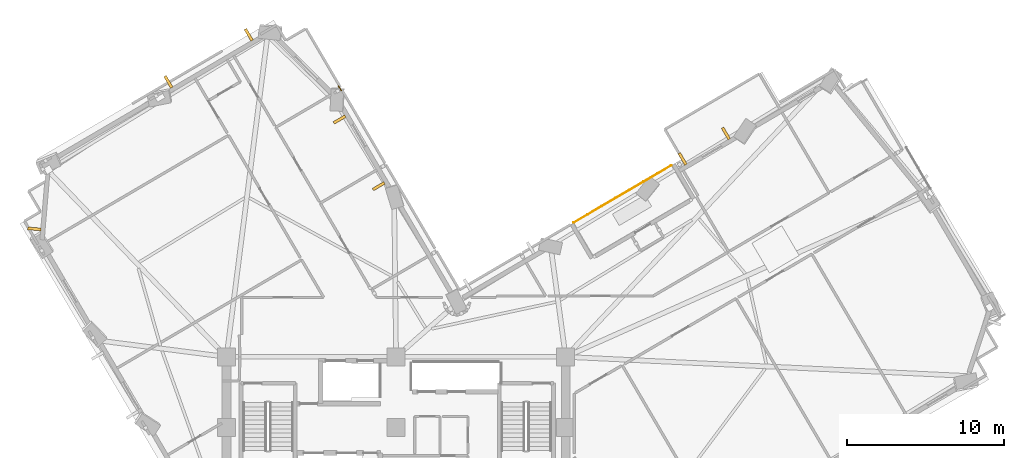
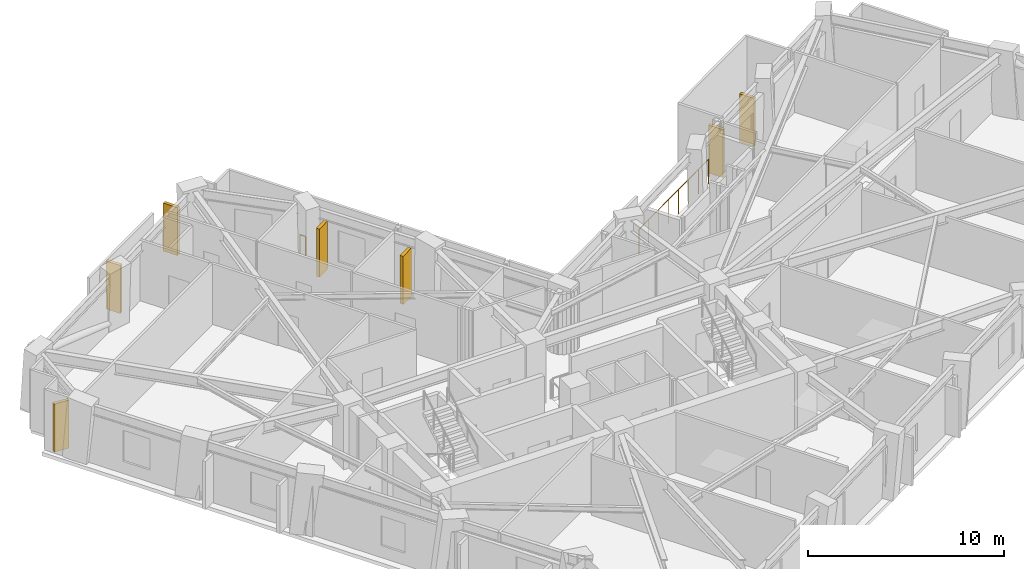
# One storey, part 11 of 12: 7 shading devices, 2 railings.
"""IFC4 building model written with IfcOpenShell, lengths in metres."""

from ifc_helpers import new_model, si_unit, direction, frame, origin, origin_2d, place, context, subcontext, project, spatial, rectangle, circle, extrude, material, layer, layer_set, type_object, element, save


model = new_model("IFC4")

# Units and contexts
model_context = context("Model", 3, precision=1e-05, world=origin(), true_north=direction((0.0, 1.0)))
body_context = subcontext(model_context, "Body", "Model", "MODEL_VIEW")
ifc_project = project(units=[si_unit("LENGTHUNIT", "METRE"), si_unit("AREAUNIT", "SQUARE_METRE"), si_unit("VOLUMEUNIT", "CUBIC_METRE"), si_unit("PLANEANGLEUNIT", "RADIAN"), si_unit("MASSUNIT", "GRAM", prefix="KILO")], contexts=[model_context])

# Site, building, storey
site_placement = place(None, origin())
site = spatial("IfcSite", under=ifc_project, at=site_placement, CompositionType="ELEMENT")
building_placement = place(site_placement, origin())
building = spatial("IfcBuilding", under=site, at=building_placement, Name="Gaonmaruhae Medical Tower", CompositionType="ELEMENT")
storey_placement = place(building_placement, frame((0.0, 0.0, 153.800048828125)))
storey = spatial("IfcBuildingStorey", under=building, at=storey_placement, Name="L36", CompositionType="ELEMENT", Elevation=153.800048828125)

# Railings
ifc_material_1 = material(Name="Stainless steel 316L and laminated safety glass", Category="steel")
ifc_layer_1 = layer(ifc_material_1, 0.080078125)
ifc_layer_set_1 = layer_set([ifc_layer_1], Name="Stainless steel 316L and laminated safety glass")
railing_type_1 = type_object("IfcRailingType", Name="GD-120 Outdoor Terrace Safety Glass & Steel Balustrade", PredefinedType="BALUSTRADE", material=ifc_layer_set_1)
railing_1_placement = place(storey_placement, frame((21.1328125, 34.0546875, 0.0)))
element("IfcRailing", 1, at=railing_1_placement, inside=storey, type_object=railing_type_1, Name="L36 Perimeter Slab Edge Safety Balustrade 09", PredefinedType="BALUSTRADE", context=body_context, shape_type="SweptSolid", body=[
    extrude(circle(Radius=0.02392578125, at=origin_2d()), frame((0.0, 0.0, 1.17578125), z_axis=(0.505885937908, -0.862600381305, 0.0), x_axis=(0.862600381305, 0.505885937908, 0.0)), (0.0, 0.0, 1.0), 0.3388671875),
    extrude(circle(Radius=0.02099609375, at=origin_2d()), origin(), (0.0, 0.0, 1.0), 1.15185546875),
    extrude(circle(Radius=0.02099609375, at=origin_2d()), frame((0.17138671875, -0.292236328125, 0.0)), (0.0, 0.0, 1.0), 1.15185546875),
])
ifc_layer_2 = layer(ifc_material_1, 0.080078125)
ifc_layer_set_2 = layer_set([ifc_layer_2], Name="Stainless steel 316L and laminated safety glass")
railing_type_2 = type_object("IfcRailingType", Name="GD-155 Planter-Edge Raised Safety Balustrade", PredefinedType="BALUSTRADE", material=ifc_layer_set_2)
railing_2_placement = place(storey_placement, frame((42.328125, 28.9931640625, 0.0)))
element("IfcRailing", 2, at=railing_2_placement, inside=storey, type_object=railing_type_2, Name="L36 Terrace Safety Guard RL-SLB-L36-TER-03", PredefinedType="BALUSTRADE", context=body_context, shape_type="SweptSolid", body=[
    extrude(circle(Radius=0.02392578125, at=origin_2d()), frame((0.0, 0.0, 1.52587890625), z_axis=(-0.862525497737, -0.50601360234, 0.0), x_axis=(0.50601360234, -0.862525497737, 0.0)), (0.0, 0.0, 1.0), 7.199951171875),
    extrude(circle(Radius=0.02099609375, at=origin_2d()), origin(), (0.0, 0.0, 1.0), 1.501953125),
    extrude(circle(Radius=0.02099609375, at=origin_2d()), frame((-0.88720703125, -0.5205078125, 0.0)), (0.0, 0.0, 1.0), 1.501953125),
    extrude(circle(Radius=0.02099609375, at=origin_2d()), frame((-1.7744140625, -1.041015625, 0.0)), (0.0, 0.0, 1.0), 1.501953125),
    extrude(circle(Radius=0.02099609375, at=origin_2d()), frame((-2.66162109375, -1.5615234375, 0.0)), (0.0, 0.0, 1.0), 1.501953125),
    extrude(circle(Radius=0.02099609375, at=origin_2d()), frame((-3.548583984375, -2.081787109375, 0.0)), (0.0, 0.0, 1.0), 1.501953125),
    extrude(circle(Radius=0.02099609375, at=origin_2d()), frame((-4.435791015625, -2.602294921875, 0.0)), (0.0, 0.0, 1.0), 1.501953125),
    extrude(circle(Radius=0.02099609375, at=origin_2d()), frame((-5.322998046875, -3.122802734375, 0.0)), (0.0, 0.0, 1.0), 1.501953125),
    extrude(circle(Radius=0.02099609375, at=origin_2d()), frame((-6.210205078125, -3.643310546875, 0.0)), (0.0, 0.0, 1.0), 1.501953125),
])

# Shading devices
ifc_material_2 = material(Name="Pigmented coral precast concrete C45/55", Category="concrete")
shading_device_type = type_object("IfcShadingDeviceType", Name="SD-FIN1 Tower Vertical Coral Precast Shading Fin", PredefinedType="USERDEFINED", material=ifc_material_2)
for number, where, z_axis, x_axis, name in (
    (3, (43.04638671875, 29.408935546875, 0.072509765625), (0.0, 0.0, 1.0), (0.862504837121, 0.506048817747, 0.0), "L36 Vertical Coral Precast Shading Fin EN01"),
    (4, (45.805908203125, 31.02783203125, 0.072509765625), (0.0, 0.0, 1.0), (0.862504837121, 0.506048817747, 0.0), "L36 Vertical Coral Precast Shading Fin EN01B"),
    (5, (23.69091796875, 27.668701171875, 0.08251953125), (0.0, 0.0, 1.0), (-0.506033764121, 0.862513669207, 0.0), "L36 Vertical Coral Precast Shading Fin NE01"),
    (6, (21.19970703125, 31.914794921875, 0.08251953125), (0.0, 0.0, 1.0), (-0.506033764121, 0.862513669207, 0.0), "L36 Vertical Coral Precast Shading Fin NE01B"),
    (7, (10.300048828125, 34.312255859375, 0.08251953125), (0.0, 0.0, 1.0), (0.862513669207, 0.506033764121, 0.0), "L36 Vertical Coral Precast Shading Fin N01"),
    (8, (15.41552734375, 37.3134765625, 0.08251953125), (0.0, 0.0, 1.0), (0.862513669207, 0.506033764121, 0.0), "L36 Vertical Coral Precast Shading Fin N01B"),
    (9, (1.763671875, 24.94921875, 0.08251953125), (0.0, 0.0, 1.0), (0.083973505028, 0.996467987671, 0.0), "L36 Vertical Coral Precast Shading Fin N03"),
):
    element("IfcShadingDevice", number, at=place(storey_placement, frame(where, z_axis=z_axis, x_axis=x_axis)), inside=storey, type_object=shading_device_type, Name=name, ObjectType="FIN", PredefinedType="USERDEFINED", context=body_context, shape_type="SweptSolid", body=[
        extrude(rectangle(XDim=0.179931640625, YDim=0.85009765625, at=origin_2d()), origin(), (0.0, 0.0, 1.0), 3.0),
    ])

save(model, "model.ifc")
